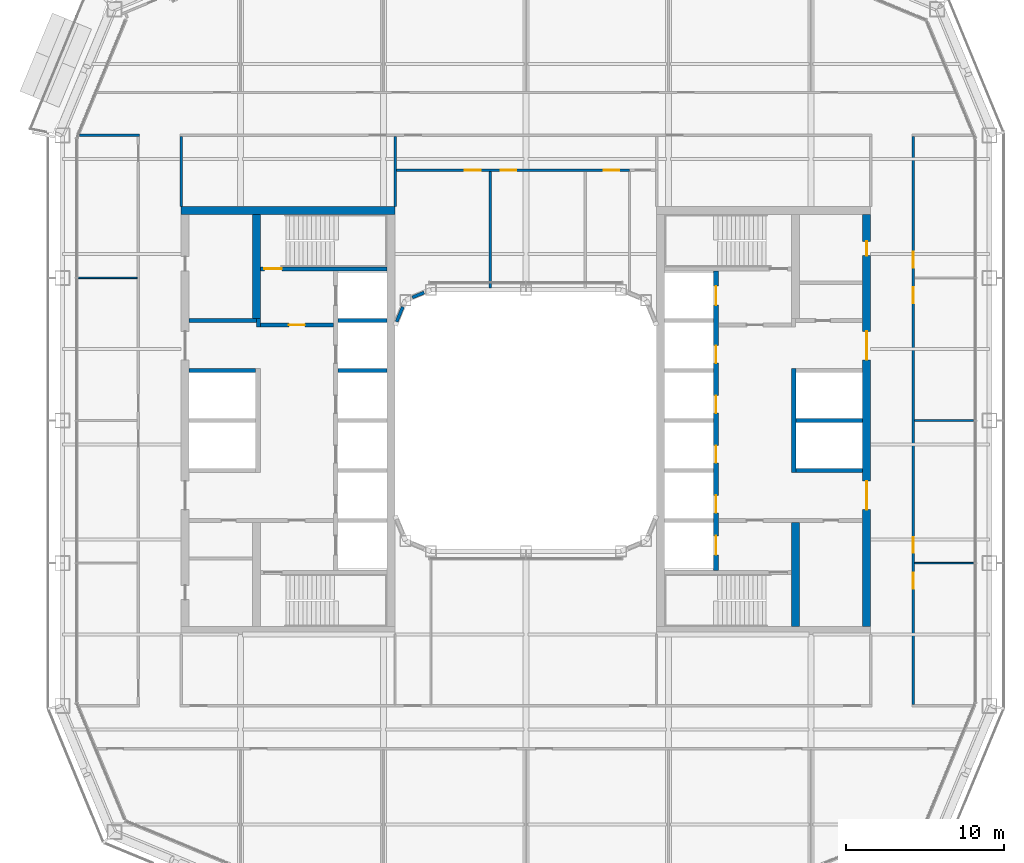
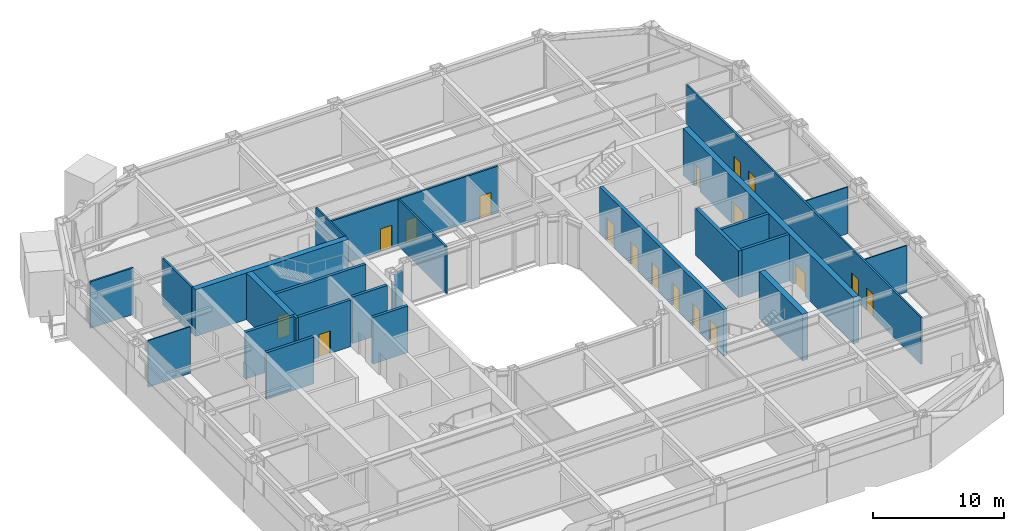
# One storey, part 13 of 23: 26 walls, 18 doors, 18 openings.
"""IFC4 building model written with IfcOpenShell, lengths in metres."""

from ifc_helpers import new_model, si_unit, direction, frame, frame_2d, origin, place, context, subcontext, project, spatial, rectangle, extrude, material, layer, layer_set, type_object, element, fill, save


model = new_model("IFC4")

# Units and contexts
model_context = context("Model", 3, precision=1e-05, world=origin(), true_north=direction((0.0, 1.0)))
body_context = subcontext(model_context, "Body", "Model", "MODEL_VIEW")
ifc_project = project(units=[si_unit("LENGTHUNIT", "METRE"), si_unit("AREAUNIT", "SQUARE_METRE"), si_unit("VOLUMEUNIT", "CUBIC_METRE"), si_unit("PLANEANGLEUNIT", "RADIAN"), si_unit("MASSUNIT", "GRAM", prefix="KILO")], contexts=[model_context])

# Site, building, storey
site_placement = place(None, origin())
site = spatial("IfcSite", under=ifc_project, at=site_placement, CompositionType="ELEMENT")
building_placement = place(site_placement, origin())
building = spatial("IfcBuilding", under=site, at=building_placement, Name="Siwar Civic Tower", CompositionType="ELEMENT")
storey_placement = place(building_placement, frame((0.0, 0.0, 118.199951171875)))
storey = spatial("IfcBuildingStorey", under=building, at=storey_placement, Name="L25", CompositionType="ELEMENT", Elevation=118.199951171875)

# Wall, opening, door
ifc_material_1 = material(Name="Concrete C60/75", Category="concrete")
ifc_layer_1 = layer(ifc_material_1, 0.25)
ifc_layer_set_1 = layer_set([ifc_layer_1], Name="Concrete C60/75")
wall_type_1 = type_object("IfcWallType", Name="CORE-WALL-RC250", PredefinedType="SHEAR", material=ifc_layer_set_1)
wall_1_placement = place(storey_placement, frame((-12.14990234375, 6.02490234375, 0.0), z_axis=(0.0, 0.0, 1.0), x_axis=(-1.0, 0.0, 0.0)))
wall_1 = element("IfcWall", 1, at=wall_1_placement, inside=storey, type_object=wall_type_1, Name="Core wall W", PredefinedType="SHEAR", context=body_context, shape_type="SweptSolid", body=[
    extrude(rectangle(XDim=4.60009765625, YDim=0.25, at=frame_2d((2.300048828125, 0.0))), origin(), (0.0, 0.0, 1.0), 4.35009765625),
])
opening_1_placement = place(wall_1_placement, frame((1.800048828125, 0.0, 0.0)))
opening_1 = element("IfcOpeningElement", 2, at=opening_1_placement, cuts=wall_1, Name="Opening L25-CW01", PredefinedType="OPENING", context=body_context, shape_type="SweptSolid", body=[
    extrude(rectangle(XDim=1.0, YDim=2.10009765625, at=frame_2d((0.5, 1.050048828125))), frame((0.0, 0.135009765625, 0.0), z_axis=(0.0, -1.0, 0.0), x_axis=(1.0, 0.0, 0.0)), (0.0, 0.0, 1.0), 0.27001953125),
])
ifc_material_2 = material(Name="Steel door leaf", Category="steel")
door_type_1 = type_object("IfcDoorType", Name="CORE-DOOR-FD30S", OperationType="SINGLE_SWING_LEFT", PredefinedType="DOOR", material=ifc_material_2)
door_1_placement = place(opening_1_placement, origin())
door_1 = element("IfcDoor", 3, at=door_1_placement, inside=storey, type_object=door_type_1, Name="Firefighting lobby door L25-CW01", OperationType="SINGLE_SWING_LEFT", OverallHeight=2.10009765625, OverallWidth=1.0, PredefinedType="DOOR", context=body_context, shape_type="SweptSolid", body=[
    extrude(rectangle(XDim=1.0, YDim=2.10009765625, at=frame_2d((0.5, 1.050048828125))), frame((0.0, 0.02490234375, 0.0), z_axis=(0.0, -1.0, 0.0), x_axis=(1.0, 0.0, 0.0)), (0.0, 0.0, 1.0), 0.050048828125),
])
fill(opening_1, door_1)

# Walls
wall_2_placement = place(storey_placement, frame((-16.875, 5.89990234375, 0.0), z_axis=(0.0, 0.0, 1.0), x_axis=(0.0, 1.0, 0.0)))
element("IfcWall", 4, at=wall_2_placement, inside=storey, type_object=wall_type_1, Name="Core wall W", PredefinedType="SHEAR", context=body_context, shape_type="SweptSolid", body=[
    extrude(rectangle(XDim=0.525146484375, YDim=0.25, at=frame_2d((0.2626953125, 0.0))), origin(), (0.0, 0.0, 1.0), 4.35009765625),
])
wall_3_placement = place(storey_placement, frame((-17.0, 6.300048828125, 0.0), z_axis=(0.0, 0.0, 1.0), x_axis=(-1.0, 0.0, 0.0)))
element("IfcWall", 5, at=wall_3_placement, inside=storey, type_object=wall_type_1, Name="Core wall W", PredefinedType="SHEAR", context=body_context, shape_type="SweptSolid", body=[
    extrude(rectangle(XDim=4.25, YDim=0.25, at=frame_2d((2.125, 0.0))), origin(), (0.0, 0.0, 1.0), 4.35009765625),
])
wall_4_placement = place(storey_placement, frame((-17.050048828125, 3.14990234375, 0.0), z_axis=(0.0, 0.0, 1.0), x_axis=(-1.0, 0.0, 0.0)))
element("IfcWall", 6, at=wall_4_placement, inside=storey, type_object=wall_type_1, Name="Core wall W", PredefinedType="SHEAR", context=body_context, shape_type="SweptSolid", body=[
    extrude(rectangle(XDim=4.199951171875, YDim=0.25, at=frame_2d((2.10009765625, 0.0))), origin(), (0.0, 0.0, 1.0), 4.35009765625),
])
for number, where, z_axis, x_axis, name in (
    (7, (-8.75, 3.14990234375, 0.0), (0.0, 0.0, 1.0), (-1.0, 0.0, 0.0), "Core wall W"),
    (8, (-8.75, 6.300048828125, 0.0), (0.0, 0.0, 1.0), (-1.0, 0.0, 0.0), "Core wall W"),
):
    element("IfcWall", number, at=place(storey_placement, frame(where, z_axis=z_axis, x_axis=x_axis)), inside=storey, type_object=wall_type_1, Name=name, PredefinedType="SHEAR", context=body_context, shape_type="SweptSolid", body=[
        extrude(rectangle(XDim=3.10009765625, YDim=0.25, at=frame_2d((1.550048828125, 0.0))), origin(), (0.0, 0.0, 1.0), 4.35009765625),
    ])

# Wall, opening, door
wall_5_placement = place(storey_placement, frame((-8.75, 9.574951171875, 0.0), z_axis=(0.0, 0.0, 1.0), x_axis=(-1.0, 0.0, 0.0)))
wall_5 = element("IfcWall", 9, at=wall_5_placement, inside=storey, type_object=wall_type_1, Name="Core wall W", PredefinedType="SHEAR", context=body_context, shape_type="SweptSolid", body=[
    extrude(rectangle(XDim=8.0, YDim=0.25, at=frame_2d((4.0, 0.0))), origin(), (0.0, 0.0, 1.0), 4.35009765625),
])
opening_2_placement = place(wall_5_placement, frame((6.64990234375, 0.0, 0.0)))
opening_2 = element("IfcOpeningElement", 10, at=opening_2_placement, cuts=wall_5, Name="Opening L25-CW03", PredefinedType="OPENING", context=body_context, shape_type="SweptSolid", body=[
    extrude(rectangle(XDim=1.10009765625, YDim=2.10009765625, at=frame_2d((0.550048828125, 1.050048828125))), frame((0.0, 0.135009765625, 0.0), z_axis=(0.0, -1.0, 0.0), x_axis=(1.0, 0.0, 0.0)), (0.0, 0.0, 1.0), 0.27001953125),
])
ifc_material_3 = material(Name="Steel door leaf", Category="steel")
door_type_2 = type_object("IfcDoorType", Name="CORE-DOOR-FD60S", OperationType="SINGLE_SWING_LEFT", PredefinedType="DOOR", material=ifc_material_3)
door_2_placement = place(opening_2_placement, origin())
door_2 = element("IfcDoor", 11, at=door_2_placement, inside=storey, type_object=door_type_2, Name="Stair door L25-CW03", OperationType="SINGLE_SWING_RIGHT", OverallHeight=2.10009765625, OverallWidth=1.10009765625, PredefinedType="DOOR", context=body_context, shape_type="SweptSolid", body=[
    extrude(rectangle(XDim=1.10009765625, YDim=2.10009765625, at=frame_2d((0.550048828125, 1.050048828125))), frame((0.0, 0.02490234375, 0.0), z_axis=(0.0, -1.0, 0.0), x_axis=(1.0, 0.0, 0.0)), (0.0, 0.0, 1.0), 0.050048828125),
])
fill(opening_2, door_2)

# Walls
for number, where, z_axis, x_axis, name in (
    (12, (17.050048828125, 0.0, 0.0), (0.0, 0.0, 1.0), (1.0, 0.0, 0.0), "Core wall E"),
    (13, (17.050048828125, -3.14990234375, 0.0), (0.0, 0.0, 1.0), (1.0, 0.0, 0.0), "Core wall E"),
):
    element("IfcWall", number, at=place(storey_placement, frame(where, z_axis=z_axis, x_axis=x_axis)), inside=storey, type_object=wall_type_1, Name=name, PredefinedType="SHEAR", context=body_context, shape_type="SweptSolid", body=[
        extrude(rectangle(XDim=4.199951171875, YDim=0.25, at=frame_2d((2.10009765625, 0.0))), origin(), (0.0, 0.0, 1.0), 4.35009765625),
    ])

# Wall, openings, doors
ifc_material_4 = material(Name="Concrete C60/75", Category="concrete")
ifc_layer_2 = layer(ifc_material_4, 0.300048828125)
ifc_layer_set_2 = layer_set([ifc_layer_2], Name="Concrete C60/75")
wall_type_2 = type_object("IfcWallType", Name="CORE-WALL-RC300", PredefinedType="SHEAR", material=ifc_layer_set_2)
wall_6_placement = place(storey_placement, frame((12.0, -9.449951171875, 0.0), z_axis=(0.0, 0.0, 1.0), x_axis=(0.0, 1.0, 0.0)))
wall_6 = element("IfcWall", 14, at=wall_6_placement, inside=storey, type_object=wall_type_2, Name="Core wall E", PredefinedType="SHEAR", context=body_context, shape_type="SweptSolid", body=[
    extrude(rectangle(XDim=18.89990234375, YDim=0.300048828125, at=frame_2d((9.449951171875, 0.0))), origin(), (0.0, 0.0, 1.0), 4.35009765625),
])
opening_3_placement = place(wall_6_placement, frame((3.625, 0.0, 0.0)))
opening_3 = element("IfcOpeningElement", 15, at=opening_3_placement, cuts=wall_6, Name="Opening L25-CE07", PredefinedType="OPENING", context=body_context, shape_type="SweptSolid", body=[
    extrude(rectangle(XDim=1.10009765625, YDim=2.10009765625, at=frame_2d((0.550048828125, 1.050048828125))), frame((0.0, 0.16015625, 0.0), z_axis=(0.0, -1.0, 0.0), x_axis=(1.0, 0.0, 0.0)), (0.0, 0.0, 1.0), 0.320068359375),
])
opening_4_placement = place(wall_6_placement, frame((6.77490234375, 0.0, 0.0)))
opening_4 = element("IfcOpeningElement", 16, at=opening_4_placement, cuts=wall_6, Name="Opening L25-CE08", PredefinedType="OPENING", context=body_context, shape_type="SweptSolid", body=[
    extrude(rectangle(XDim=1.10009765625, YDim=2.10009765625, at=frame_2d((0.550048828125, 1.050048828125))), frame((0.0, 0.16015625, 0.0), z_axis=(0.0, -1.0, 0.0), x_axis=(1.0, 0.0, 0.0)), (0.0, 0.0, 1.0), 0.320068359375),
])
opening_5_placement = place(wall_6_placement, frame((9.925048828125, 0.0, 0.0)))
opening_5 = element("IfcOpeningElement", 17, at=opening_5_placement, cuts=wall_6, Name="Opening L25-CE09", PredefinedType="OPENING", context=body_context, shape_type="SweptSolid", body=[
    extrude(rectangle(XDim=1.10009765625, YDim=2.10009765625, at=frame_2d((0.550048828125, 1.050048828125))), frame((0.0, 0.16015625, 0.0), z_axis=(0.0, -1.0, 0.0), x_axis=(1.0, 0.0, 0.0)), (0.0, 0.0, 1.0), 0.320068359375),
])
opening_6_placement = place(wall_6_placement, frame((13.074951171875, 0.0, 0.0)))
opening_6 = element("IfcOpeningElement", 18, at=opening_6_placement, cuts=wall_6, Name="Opening L25-CE10", PredefinedType="OPENING", context=body_context, shape_type="SweptSolid", body=[
    extrude(rectangle(XDim=1.10009765625, YDim=2.10009765625, at=frame_2d((0.550048828125, 1.050048828125))), frame((0.0, 0.16015625, 0.0), z_axis=(0.0, -1.0, 0.0), x_axis=(1.0, 0.0, 0.0)), (0.0, 0.0, 1.0), 0.320068359375),
])
opening_7_placement = place(wall_6_placement, frame((16.72509765625, 0.0, 0.0)))
opening_7 = element("IfcOpeningElement", 19, at=opening_7_placement, cuts=wall_6, Name="Opening L25-CE11", PredefinedType="OPENING", context=body_context, shape_type="SweptSolid", body=[
    extrude(rectangle(XDim=1.199951171875, YDim=2.10009765625, at=frame_2d((0.60009765625, 1.050048828125))), frame((0.0, 0.16015625, 0.0), z_axis=(0.0, -1.0, 0.0), x_axis=(1.0, 0.0, 0.0)), (0.0, 0.0, 1.0), 0.320068359375),
])
opening_8_placement = place(wall_6_placement, frame((0.97509765625, 0.0, 0.0)))
opening_8 = element("IfcOpeningElement", 20, at=opening_8_placement, cuts=wall_6, Name="Opening L25-CE12", PredefinedType="OPENING", context=body_context, shape_type="SweptSolid", body=[
    extrude(rectangle(XDim=1.199951171875, YDim=2.10009765625, at=frame_2d((0.60009765625, 1.050048828125))), frame((0.0, 0.16015625, 0.0), z_axis=(0.0, -1.0, 0.0), x_axis=(1.0, 0.0, 0.0)), (0.0, 0.0, 1.0), 0.320068359375),
])
ifc_material_5 = material(Name="Steel door leaf", Category="steel")
door_type_3 = type_object("IfcDoorType", Name="CORE-DOOR-LD", OperationType="DOUBLE_DOOR_SLIDING", PredefinedType="DOOR", material=ifc_material_5)
door_3_placement = place(opening_3_placement, origin())
door_3 = element("IfcDoor", 21, at=door_3_placement, inside=storey, type_object=door_type_3, Name="Landing door LR5 L25-CE07", OperationType="DOUBLE_DOOR_SLIDING", OverallHeight=2.10009765625, OverallWidth=1.10009765625, PredefinedType="DOOR", context=body_context, shape_type="SweptSolid", body=[
    extrude(rectangle(XDim=1.10009765625, YDim=2.10009765625, at=frame_2d((0.550048828125, 1.050048828125))), frame((0.0, 0.02490234375, 0.0), z_axis=(0.0, -1.0, 0.0), x_axis=(1.0, 0.0, 0.0)), (0.0, 0.0, 1.0), 0.050048828125),
])
fill(opening_3, door_3)
door_4_placement = place(opening_4_placement, origin())
door_4 = element("IfcDoor", 22, at=door_4_placement, inside=storey, type_object=door_type_3, Name="Landing door LR6 L25-CE08", OperationType="DOUBLE_DOOR_SLIDING", OverallHeight=2.10009765625, OverallWidth=1.10009765625, PredefinedType="DOOR", context=body_context, shape_type="SweptSolid", body=[
    extrude(rectangle(XDim=1.10009765625, YDim=2.10009765625, at=frame_2d((0.550048828125, 1.050048828125))), frame((0.0, 0.02490234375, 0.0), z_axis=(0.0, -1.0, 0.0), x_axis=(1.0, 0.0, 0.0)), (0.0, 0.0, 1.0), 0.050048828125),
])
fill(opening_4, door_4)
door_5_placement = place(opening_5_placement, origin())
door_5 = element("IfcDoor", 23, at=door_5_placement, inside=storey, type_object=door_type_3, Name="Landing door LR7 L25-CE09", OperationType="DOUBLE_DOOR_SLIDING", OverallHeight=2.10009765625, OverallWidth=1.10009765625, PredefinedType="DOOR", context=body_context, shape_type="SweptSolid", body=[
    extrude(rectangle(XDim=1.10009765625, YDim=2.10009765625, at=frame_2d((0.550048828125, 1.050048828125))), frame((0.0, 0.02490234375, 0.0), z_axis=(0.0, -1.0, 0.0), x_axis=(1.0, 0.0, 0.0)), (0.0, 0.0, 1.0), 0.050048828125),
])
fill(opening_5, door_5)
door_6_placement = place(opening_6_placement, origin())
door_6 = element("IfcDoor", 24, at=door_6_placement, inside=storey, type_object=door_type_3, Name="Landing door LR8 L25-CE10", OperationType="DOUBLE_DOOR_SLIDING", OverallHeight=2.10009765625, OverallWidth=1.10009765625, PredefinedType="DOOR", context=body_context, shape_type="SweptSolid", body=[
    extrude(rectangle(XDim=1.10009765625, YDim=2.10009765625, at=frame_2d((0.550048828125, 1.050048828125))), frame((0.0, 0.02490234375, 0.0), z_axis=(0.0, -1.0, 0.0), x_axis=(1.0, 0.0, 0.0)), (0.0, 0.0, 1.0), 0.050048828125),
])
fill(opening_6, door_6)
ifc_material_6 = material(Name="Steel door leaf", Category="steel")
door_type_4 = type_object("IfcDoorType", Name="CORE-DOOR-LDW", OperationType="DOUBLE_DOOR_SLIDING", PredefinedType="DOOR", material=ifc_material_6)
door_7_placement = place(opening_7_placement, origin())
door_7 = element("IfcDoor", 25, at=door_7_placement, inside=storey, type_object=door_type_4, Name="Landing door FF2 L25-CE11", OperationType="DOUBLE_DOOR_SLIDING", OverallHeight=2.10009765625, OverallWidth=1.199951171875, PredefinedType="DOOR", context=body_context, shape_type="SweptSolid", body=[
    extrude(rectangle(XDim=1.199951171875, YDim=2.10009765625, at=frame_2d((0.60009765625, 1.050048828125))), frame((0.0, 0.02490234375, 0.0), z_axis=(0.0, -1.0, 0.0), x_axis=(1.0, 0.0, 0.0)), (0.0, 0.0, 1.0), 0.050048828125),
])
fill(opening_7, door_7)
door_8_placement = place(opening_8_placement, origin())
door_8 = element("IfcDoor", 26, at=door_8_placement, inside=storey, type_object=door_type_4, Name="Landing door SV2 L25-CE12", OperationType="DOUBLE_DOOR_SLIDING", OverallHeight=2.10009765625, OverallWidth=1.199951171875, PredefinedType="DOOR", context=body_context, shape_type="SweptSolid", body=[
    extrude(rectangle(XDim=1.199951171875, YDim=2.10009765625, at=frame_2d((0.60009765625, 1.050048828125))), frame((0.0, 0.02490234375, 0.0), z_axis=(0.0, -1.0, 0.0), x_axis=(1.0, 0.0, 0.0)), (0.0, 0.0, 1.0), 0.050048828125),
])
fill(opening_8, door_8)

# Walls
wall_7_placement = place(storey_placement, frame((16.89990234375, -3.27490234375, 0.0), z_axis=(0.0, 0.0, 1.0), x_axis=(0.0, 1.0, 0.0)))
element("IfcWall", 27, at=wall_7_placement, inside=storey, type_object=wall_type_2, Name="Core wall E", PredefinedType="SHEAR", context=body_context, shape_type="SweptSolid", body=[
    extrude(rectangle(XDim=6.5498046875, YDim=0.300048828125, at=frame_2d((3.27490234375, 0.0))), origin(), (0.0, 0.0, 1.0), 4.35009765625),
])
ifc_material_7 = material(Name="Concrete C60/75", Category="concrete")
ifc_layer_3 = layer(ifc_material_7, 0.5)
ifc_layer_set_3 = layer_set([ifc_layer_3], Name="Concrete C60/75")
wall_type_3 = type_object("IfcWallType", Name="CORE-WALL-RC500", PredefinedType="SHEAR", material=ifc_layer_set_3)
wall_8_placement = place(storey_placement, frame((-17.0, 6.425048828125, 0.0), z_axis=(0.0, 0.0, 1.0), x_axis=(0.0, 1.0, 0.0)))
element("IfcWall", 28, at=wall_8_placement, inside=storey, type_object=wall_type_3, Name="Core wall W", PredefinedType="SHEAR", context=body_context, shape_type="SweptSolid", body=[
    extrude(rectangle(XDim=6.574951171875, YDim=0.5, at=frame_2d((3.28759765625, 0.0))), origin(), (0.0, 0.0, 1.0), 4.35009765625),
])
wall_9_placement = place(storey_placement, frame((-8.25, 13.25, 0.0), z_axis=(0.0, 0.0, 1.0), x_axis=(-1.0, 0.0, 0.0)))
element("IfcWall", 29, at=wall_9_placement, inside=storey, type_object=wall_type_3, Name="Core wall W", PredefinedType="SHEAR", context=body_context, shape_type="SweptSolid", body=[
    extrude(rectangle(XDim=13.5, YDim=0.5, at=frame_2d((6.75, 0.0))), origin(), (0.0, 0.0, 1.0), 4.35009765625),
])

# Wall, openings, doors
wall_10_placement = place(storey_placement, frame((21.5, -13.0, 0.0), z_axis=(0.0, 0.0, 1.0), x_axis=(0.0, 1.0, 0.0)))
wall_10 = element("IfcWall", 30, at=wall_10_placement, inside=storey, type_object=wall_type_3, Name="Core wall E", PredefinedType="SHEAR", context=body_context, shape_type="SweptSolid", body=[
    extrude(rectangle(XDim=26.0, YDim=0.5, at=frame_2d((13.0, 0.0))), origin(), (0.0, 0.0, 1.0), 4.35009765625),
])
opening_9_placement = place(wall_10_placement, frame((16.824951171875, 0.0, 0.0)))
opening_9 = element("IfcOpeningElement", 31, at=opening_9_placement, cuts=wall_10, Name="Opening L25-CE05", PredefinedType="OPENING", context=body_context, shape_type="SweptSolid", body=[
    extrude(rectangle(XDim=1.800048828125, YDim=2.10009765625, at=frame_2d((0.89990234375, 1.050048828125))), frame((0.0, 0.260009765625, 0.0), z_axis=(0.0, -1.0, 0.0), x_axis=(1.0, 0.0, 0.0)), (0.0, 0.0, 1.0), 0.52001953125),
])
opening_10_placement = place(wall_10_placement, frame((7.375, 0.0, 0.0)))
opening_10 = element("IfcOpeningElement", 32, at=opening_10_placement, cuts=wall_10, Name="Opening L25-CE06", PredefinedType="OPENING", context=body_context, shape_type="SweptSolid", body=[
    extrude(rectangle(XDim=1.800048828125, YDim=2.10009765625, at=frame_2d((0.89990234375, 1.050048828125))), frame((0.0, 0.260009765625, 0.0), z_axis=(0.0, -1.0, 0.0), x_axis=(1.0, 0.0, 0.0)), (0.0, 0.0, 1.0), 0.52001953125),
])
opening_11_placement = place(wall_10_placement, frame((23.39990234375, 0.0, 0.0)))
opening_11 = element("IfcOpeningElement", 33, at=opening_11_placement, cuts=wall_10, Name="Opening L25-CE14", PredefinedType="OPENING", context=body_context, shape_type="SweptSolid", body=[
    extrude(rectangle(XDim=0.89990234375, YDim=2.10009765625, at=frame_2d((0.449951171875, 1.050048828125))), frame((0.0, 0.260009765625, 0.0), z_axis=(0.0, -1.0, 0.0), x_axis=(1.0, 0.0, 0.0)), (0.0, 0.0, 1.0), 0.52001953125),
])
ifc_material_8 = material(Name="Steel door leaf", Category="steel")
door_type_5 = type_object("IfcDoorType", Name="CORE-DOOR-PORT", OperationType="DOUBLE_DOOR_DOUBLE_SWING", PredefinedType="DOOR", material=ifc_material_8)
door_9_placement = place(opening_9_placement, origin())
door_9 = element("IfcDoor", 34, at=door_9_placement, inside=storey, type_object=door_type_5, Name="Core entrance door L25-CE05", OperationType="DOUBLE_DOOR_DOUBLE_SWING", OverallHeight=2.10009765625, OverallWidth=1.800048828125, PredefinedType="DOOR", context=body_context, shape_type="SweptSolid", body=[
    extrude(rectangle(XDim=1.800048828125, YDim=2.10009765625, at=frame_2d((0.89990234375, 1.050048828125))), frame((0.0, 0.02490234375, 0.0), z_axis=(0.0, -1.0, 0.0), x_axis=(1.0, 0.0, 0.0)), (0.0, 0.0, 1.0), 0.050048828125),
])
fill(opening_9, door_9)
door_10_placement = place(opening_10_placement, origin())
door_10 = element("IfcDoor", 35, at=door_10_placement, inside=storey, type_object=door_type_5, Name="Core entrance door L25-CE06", OperationType="DOUBLE_DOOR_DOUBLE_SWING", OverallHeight=2.10009765625, OverallWidth=1.800048828125, PredefinedType="DOOR", context=body_context, shape_type="SweptSolid", body=[
    extrude(rectangle(XDim=1.800048828125, YDim=2.10009765625, at=frame_2d((0.89990234375, 1.050048828125))), frame((0.0, 0.02490234375, 0.0), z_axis=(0.0, -1.0, 0.0), x_axis=(1.0, 0.0, 0.0)), (0.0, 0.0, 1.0), 0.050048828125),
])
fill(opening_10, door_10)
ifc_material_9 = material(Name="Steel door leaf", Category="steel")
door_type_6 = type_object("IfcDoorType", Name="CORE-DOOR-ROOM", OperationType="SINGLE_SWING_LEFT", PredefinedType="DOOR", material=ifc_material_9)
door_11_placement = place(opening_11_placement, origin())
door_11 = element("IfcDoor", 36, at=door_11_placement, inside=storey, type_object=door_type_6, Name="Core room door L25-CE14", OperationType="SINGLE_SWING_RIGHT", OverallHeight=2.10009765625, OverallWidth=0.89990234375, PredefinedType="DOOR", context=body_context, shape_type="SweptSolid", body=[
    extrude(rectangle(XDim=0.89990234375, YDim=2.10009765625, at=frame_2d((0.449951171875, 1.050048828125))), frame((0.0, 0.02490234375, 0.0), z_axis=(0.0, -1.0, 0.0), x_axis=(1.0, 0.0, 0.0)), (0.0, 0.0, 1.0), 0.050048828125),
])
fill(opening_11, door_11)

# Wall
wall_11_placement = place(storey_placement, frame((17.0, -13.0, 0.0), z_axis=(0.0, 0.0, 1.0), x_axis=(0.0, 1.0, 0.0)))
element("IfcWall", 37, at=wall_11_placement, inside=storey, type_object=wall_type_3, Name="Core wall E", PredefinedType="SHEAR", context=body_context, shape_type="SweptSolid", body=[
    extrude(rectangle(XDim=6.574951171875, YDim=0.5, at=frame_2d((3.28759765625, 0.0))), origin(), (0.0, 0.0, 1.0), 4.35009765625),
])

# Wall, openings, doors
ifc_material_10 = material(Name="Gypsum board on steel studs", Category="steel")
ifc_layer_4 = layer(ifc_material_10, 0.14990234375)
ifc_layer_set_4 = layer_set([ifc_layer_4], Name="Gypsum board on steel studs")
wall_type_4 = type_object("IfcWallType", Name="CORRIDOR PARTITION 150 EI 30", PredefinedType="PARTITIONING", material=ifc_layer_set_4)
wall_12_placement = place(storey_placement, frame((-8.175048828125, 15.800048828125, 0.0), z_axis=(0.0, 0.0, 1.0), x_axis=(1.0, 0.0, 0.0)))
wall_12 = element("IfcWall", 38, at=wall_12_placement, inside=storey, type_object=wall_type_4, Name="L25/wall/P11", PredefinedType="PARTITIONING", context=body_context, shape_type="SweptSolid", body=[
    extrude(rectangle(XDim=14.715087890625, YDim=0.14990234375, at=frame_2d((7.357421875, 0.0))), origin(), (0.0, 0.0, 1.0), 4.35009765625),
])
opening_12_placement = place(wall_12_placement, frame((4.324951171875, 0.0, 0.0)))
opening_12 = element("IfcOpeningElement", 39, at=opening_12_placement, cuts=wall_12, Name="Opening D3", PredefinedType="OPENING", context=body_context, shape_type="SweptSolid", body=[
    extrude(rectangle(XDim=1.0, YDim=2.10009765625, at=frame_2d((0.5, 1.050048828125))), frame((0.0, 0.0849609375, 0.0), z_axis=(0.0, -1.0, 0.0), x_axis=(1.0, 0.0, 0.0)), (0.0, 0.0, 1.0), 0.169921875),
])
opening_13_placement = place(wall_12_placement, frame((6.574951171875, 0.0, 0.0)))
opening_13 = element("IfcOpeningElement", 40, at=opening_13_placement, cuts=wall_12, Name="Opening D3", PredefinedType="OPENING", context=body_context, shape_type="SweptSolid", body=[
    extrude(rectangle(XDim=1.0, YDim=2.10009765625, at=frame_2d((0.5, 1.050048828125))), frame((0.0, 0.0849609375, 0.0), z_axis=(0.0, -1.0, 0.0), x_axis=(1.0, 0.0, 0.0)), (0.0, 0.0, 1.0), 0.169921875),
])
opening_14_placement = place(wall_12_placement, frame((13.074951171875, 0.0, 0.0)))
opening_14 = element("IfcOpeningElement", 41, at=opening_14_placement, cuts=wall_12, Name="Opening D3", PredefinedType="OPENING", context=body_context, shape_type="SweptSolid", body=[
    extrude(rectangle(XDim=1.0, YDim=2.10009765625, at=frame_2d((0.5, 1.050048828125))), frame((0.0, 0.0849609375, 0.0), z_axis=(0.0, -1.0, 0.0), x_axis=(1.0, 0.0, 0.0)), (0.0, 0.0, 1.0), 0.169921875),
])
ifc_material_11 = material(Name="Timber, painted", Category="wood")
door_type_7 = type_object("IfcDoorType", Name="DOOR 1000 X 2100 WC", OperationType="SINGLE_SWING_LEFT", PredefinedType="DOOR", material=ifc_material_11)
door_12_placement = place(opening_12_placement, origin())
door_12 = element("IfcDoor", 42, at=door_12_placement, inside=storey, type_object=door_type_7, Name="L25-D14", OperationType="SINGLE_SWING_RIGHT", OverallHeight=2.10009765625, OverallWidth=1.0, PredefinedType="DOOR", context=body_context, shape_type="SweptSolid", body=[
    extrude(rectangle(XDim=1.0, YDim=2.10009765625, at=frame_2d((0.5, 1.050048828125))), frame((0.0, 0.02490234375, 0.0), z_axis=(0.0, -1.0, 0.0), x_axis=(1.0, 0.0, 0.0)), (0.0, 0.0, 1.0), 0.050048828125),
])
fill(opening_12, door_12)
door_13_placement = place(opening_13_placement, origin())
door_13 = element("IfcDoor", 43, at=door_13_placement, inside=storey, type_object=door_type_7, Name="L25-D15", OperationType="SINGLE_SWING_LEFT", OverallHeight=2.10009765625, OverallWidth=1.0, PredefinedType="DOOR", context=body_context, shape_type="SweptSolid", body=[
    extrude(rectangle(XDim=1.0, YDim=2.10009765625, at=frame_2d((0.5, 1.050048828125))), frame((0.0, 0.02490234375, 0.0), z_axis=(0.0, -1.0, 0.0), x_axis=(1.0, 0.0, 0.0)), (0.0, 0.0, 1.0), 0.050048828125),
])
fill(opening_13, door_13)
door_14_placement = place(opening_14_placement, origin())
door_14 = element("IfcDoor", 44, at=door_14_placement, inside=storey, type_object=door_type_7, Name="L25-D16", OperationType="SINGLE_SWING_RIGHT", OverallHeight=2.10009765625, OverallWidth=1.0, PredefinedType="DOOR", context=body_context, shape_type="SweptSolid", body=[
    extrude(rectangle(XDim=1.0, YDim=2.10009765625, at=frame_2d((0.5, 1.050048828125))), frame((0.0, 0.02490234375, 0.0), z_axis=(0.0, -1.0, 0.0), x_axis=(1.0, 0.0, 0.0)), (0.0, 0.0, 1.0), 0.050048828125),
])
fill(opening_14, door_14)

# Walls
wall_13_placement = place(storey_placement, frame((-28.177978515625, 18.0, 0.0), z_axis=(0.0, 0.0, 1.0), x_axis=(1.0, 0.0, 0.0)))
element("IfcWall", 45, at=wall_13_placement, inside=storey, type_object=wall_type_4, Name="L25/wall/P13", PredefinedType="PARTITIONING", context=body_context, shape_type="SweptSolid", body=[
    extrude(rectangle(XDim=3.802978515625, YDim=0.14990234375, at=frame_2d((1.9013671875, 0.0))), origin(), (0.0, 0.0, 1.0), 4.35009765625),
])
for number, where, z_axis, x_axis, name in (
    (46, (-21.75, 13.5, 0.0), (0.0, 0.0, 1.0), (0.0, 1.0, 0.0), "L25/wall/P19"),
    (47, (-8.25, 13.5, 0.0), (0.0, 0.0, 1.0), (0.0, 1.0, 0.0), "L25/wall/P25"),
):
    element("IfcWall", number, at=place(storey_placement, frame(where, z_axis=z_axis, x_axis=x_axis)), inside=storey, type_object=wall_type_4, Name=name, PredefinedType="PARTITIONING", context=body_context, shape_type="SweptSolid", body=[
        extrude(rectangle(XDim=4.425048828125, YDim=0.14990234375, at=frame_2d((2.21240234375, 0.0))), origin(), (0.0, 0.0, 1.0), 4.35009765625),
    ])
wall_14_placement = place(storey_placement, frame((-2.25, 8.3701171875, 0.0), z_axis=(0.0, 0.0, 1.0), x_axis=(0.0, 1.0, 0.0)))
element("IfcWall", 48, at=wall_14_placement, inside=storey, type_object=wall_type_4, Name="L25/wall/P27", PredefinedType="PARTITIONING", context=body_context, shape_type="SweptSolid", body=[
    extrude(rectangle(XDim=7.35498046875, YDim=0.14990234375, at=frame_2d((3.677490234375, 0.0))), origin(), (0.0, 0.0, 1.0), 4.35009765625),
])

# Wall, openings, doors
wall_15_placement = place(storey_placement, frame((24.449951171875, -17.925048828125, 0.0), z_axis=(0.0, 0.0, 1.0), x_axis=(0.0, 1.0, 0.0)))
wall_15 = element("IfcWall", 49, at=wall_15_placement, inside=storey, type_object=wall_type_4, Name="L25/wall/P41", PredefinedType="PARTITIONING", context=body_context, shape_type="SweptSolid", body=[
    extrude(rectangle(XDim=35.85009765625, YDim=0.14990234375, at=frame_2d((17.925048828125, 0.0))), origin(), (0.0, 0.0, 1.0), 4.35009765625),
])
opening_15_placement = place(wall_15_placement, frame((7.324951171875, 0.0, 0.0)))
opening_15 = element("IfcOpeningElement", 50, at=opening_15_placement, cuts=wall_15, Name="Opening D1", PredefinedType="OPENING", context=body_context, shape_type="SweptSolid", body=[
    extrude(rectangle(XDim=1.0, YDim=2.10009765625, at=frame_2d((0.5, 1.050048828125))), frame((0.0, 0.0849609375, 0.0), z_axis=(0.0, -1.0, 0.0), x_axis=(1.0, 0.0, 0.0)), (0.0, 0.0, 1.0), 0.169921875),
])
opening_16_placement = place(wall_15_placement, frame((9.574951171875, 0.0, 0.0)))
opening_16 = element("IfcOpeningElement", 51, at=opening_16_placement, cuts=wall_15, Name="Opening D1", PredefinedType="OPENING", context=body_context, shape_type="SweptSolid", body=[
    extrude(rectangle(XDim=1.0, YDim=2.10009765625, at=frame_2d((0.5, 1.050048828125))), frame((0.0, 0.0849609375, 0.0), z_axis=(0.0, -1.0, 0.0), x_axis=(1.0, 0.0, 0.0)), (0.0, 0.0, 1.0), 0.169921875),
])
opening_17_placement = place(wall_15_placement, frame((25.324951171875, 0.0, 0.0)))
opening_17 = element("IfcOpeningElement", 52, at=opening_17_placement, cuts=wall_15, Name="Opening D1", PredefinedType="OPENING", context=body_context, shape_type="SweptSolid", body=[
    extrude(rectangle(XDim=1.0, YDim=2.10009765625, at=frame_2d((0.5, 1.050048828125))), frame((0.0, 0.0849609375, 0.0), z_axis=(0.0, -1.0, 0.0), x_axis=(1.0, 0.0, 0.0)), (0.0, 0.0, 1.0), 0.169921875),
])
opening_18_placement = place(wall_15_placement, frame((27.574951171875, 0.0, 0.0)))
opening_18 = element("IfcOpeningElement", 53, at=opening_18_placement, cuts=wall_15, Name="Opening D1", PredefinedType="OPENING", context=body_context, shape_type="SweptSolid", body=[
    extrude(rectangle(XDim=1.0, YDim=2.10009765625, at=frame_2d((0.5, 1.050048828125))), frame((0.0, 0.0849609375, 0.0), z_axis=(0.0, -1.0, 0.0), x_axis=(1.0, 0.0, 0.0)), (0.0, 0.0, 1.0), 0.169921875),
])
ifc_material_12 = material(Name="Timber, painted", Category="wood")
door_type_8 = type_object("IfcDoorType", Name="DOOR 1000 X 2100 FD30", OperationType="SINGLE_SWING_LEFT", PredefinedType="DOOR", material=ifc_material_12)
door_15_placement = place(opening_15_placement, origin())
door_15 = element("IfcDoor", 54, at=door_15_placement, inside=storey, type_object=door_type_8, Name="L25-D28", OperationType="SINGLE_SWING_RIGHT", OverallHeight=2.10009765625, OverallWidth=1.0, PredefinedType="DOOR", context=body_context, shape_type="SweptSolid", body=[
    extrude(rectangle(XDim=1.0, YDim=2.10009765625, at=frame_2d((0.5, 1.050048828125))), frame((0.0, 0.02490234375, 0.0), z_axis=(0.0, -1.0, 0.0), x_axis=(1.0, 0.0, 0.0)), (0.0, 0.0, 1.0), 0.050048828125),
])
fill(opening_15, door_15)
door_16_placement = place(opening_16_placement, origin())
door_16 = element("IfcDoor", 55, at=door_16_placement, inside=storey, type_object=door_type_8, Name="L25-D29", OperationType="SINGLE_SWING_LEFT", OverallHeight=2.10009765625, OverallWidth=1.0, PredefinedType="DOOR", context=body_context, shape_type="SweptSolid", body=[
    extrude(rectangle(XDim=1.0, YDim=2.10009765625, at=frame_2d((0.5, 1.050048828125))), frame((0.0, 0.02490234375, 0.0), z_axis=(0.0, -1.0, 0.0), x_axis=(1.0, 0.0, 0.0)), (0.0, 0.0, 1.0), 0.050048828125),
])
fill(opening_16, door_16)
door_17_placement = place(opening_17_placement, origin())
door_17 = element("IfcDoor", 56, at=door_17_placement, inside=storey, type_object=door_type_8, Name="L25-D30", OperationType="SINGLE_SWING_RIGHT", OverallHeight=2.10009765625, OverallWidth=1.0, PredefinedType="DOOR", context=body_context, shape_type="SweptSolid", body=[
    extrude(rectangle(XDim=1.0, YDim=2.10009765625, at=frame_2d((0.5, 1.050048828125))), frame((0.0, 0.02490234375, 0.0), z_axis=(0.0, -1.0, 0.0), x_axis=(1.0, 0.0, 0.0)), (0.0, 0.0, 1.0), 0.050048828125),
])
fill(opening_17, door_17)
door_18_placement = place(opening_18_placement, origin())
door_18 = element("IfcDoor", 57, at=door_18_placement, inside=storey, type_object=door_type_8, Name="L25-D31", OperationType="SINGLE_SWING_LEFT", OverallHeight=2.10009765625, OverallWidth=1.0, PredefinedType="DOOR", context=body_context, shape_type="SweptSolid", body=[
    extrude(rectangle(XDim=1.0, YDim=2.10009765625, at=frame_2d((0.5, 1.050048828125))), frame((0.0, 0.02490234375, 0.0), z_axis=(0.0, -1.0, 0.0), x_axis=(1.0, 0.0, 0.0)), (0.0, 0.0, 1.0), 0.050048828125),
])
fill(opening_18, door_18)

# Walls
ifc_material_13 = material(Name="Aluminium clad insulated panel", Category="aluminium")
ifc_layer_5 = layer(ifc_material_13, 0.199951171875)
ifc_layer_set_5 = layer_set([ifc_layer_5], Name="Aluminium clad insulated panel")
wall_type_5 = type_object("IfcWallType", Name="ENV-WALL-WELL", PredefinedType="STANDARD", material=ifc_layer_set_5)
wall_16_placement = place(storey_placement, frame((-6.422607421875, 8.074951171875, 0.0), z_axis=(0.0, 0.0, 1.0), x_axis=(-0.923817771127, -0.382832503518, 0.0)))
element("IfcWall", 58, at=wall_16_placement, inside=storey, type_object=wall_type_5, Name="Light well corner wall NW1", PredefinedType="STANDARD", context=body_context, shape_type="SweptSolid", body=[
    extrude(rectangle(XDim=0.807373046875, YDim=0.199951171875, at=frame_2d((0.40380859375, 0.0))), origin(), (0.0, 0.0, 1.0), 3.825927734375),
])
wall_17_placement = place(storey_placement, frame((-7.765869140625, 7.16845703125, 0.0), z_axis=(0.0, 0.0, 1.0), x_axis=(-0.382769662028, -0.923843810301, 0.0)))
element("IfcWall", 59, at=wall_17_placement, inside=storey, type_object=wall_type_5, Name="Light well corner wall NW2", PredefinedType="STANDARD", context=body_context, shape_type="SweptSolid", body=[
    extrude(rectangle(XDim=1.014892578125, YDim=0.199951171875, at=frame_2d((0.50732421875, 0.0))), origin(), (0.0, 0.0, 1.0), 3.825927734375),
])
ifc_material_14 = material(Name="Gypsum board on steel studs", Category="steel")
ifc_layer_6 = layer(ifc_material_14, 0.10009765625)
ifc_layer_set_6 = layer_set([ifc_layer_6], Name="Gypsum board on steel studs")
wall_type_6 = type_object("IfcWallType", Name="PARTITION 100 GYPSUM", PredefinedType="PARTITIONING", material=ifc_layer_set_6)
for number, where, z_axis, x_axis, name in (
    (60, (24.52490234375, -9.0, 0.0), (0.0, 0.0, 1.0), (1.0, 0.0, 0.0), "L25/wall/P06"),
    (61, (24.52490234375, 0.0, 0.0), (0.0, 0.0, 1.0), (1.0, 0.0, 0.0), "L25/wall/P08"),
    (62, (-28.260009765625, 9.0, 0.0), (0.0, 0.0, 1.0), (1.0, 0.0, 0.0), "L25/wall/P09"),
):
    element("IfcWall", number, at=place(storey_placement, frame(where, z_axis=z_axis, x_axis=x_axis)), inside=storey, type_object=wall_type_6, Name=name, PredefinedType="PARTITIONING", context=body_context, shape_type="SweptSolid", body=[
        extrude(rectangle(XDim=3.735107421875, YDim=0.10009765625, at=frame_2d((1.86767578125, 0.0))), origin(), (0.0, 0.0, 1.0), 4.35009765625),
    ])

save(model, "model.ifc")
